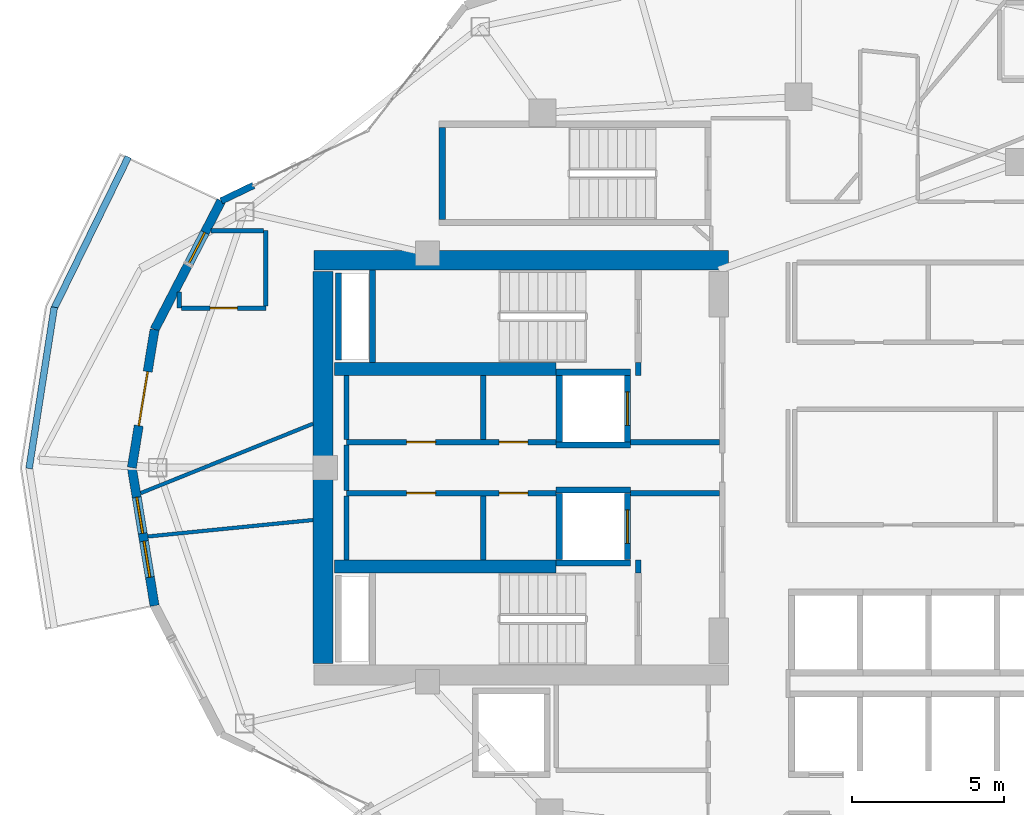
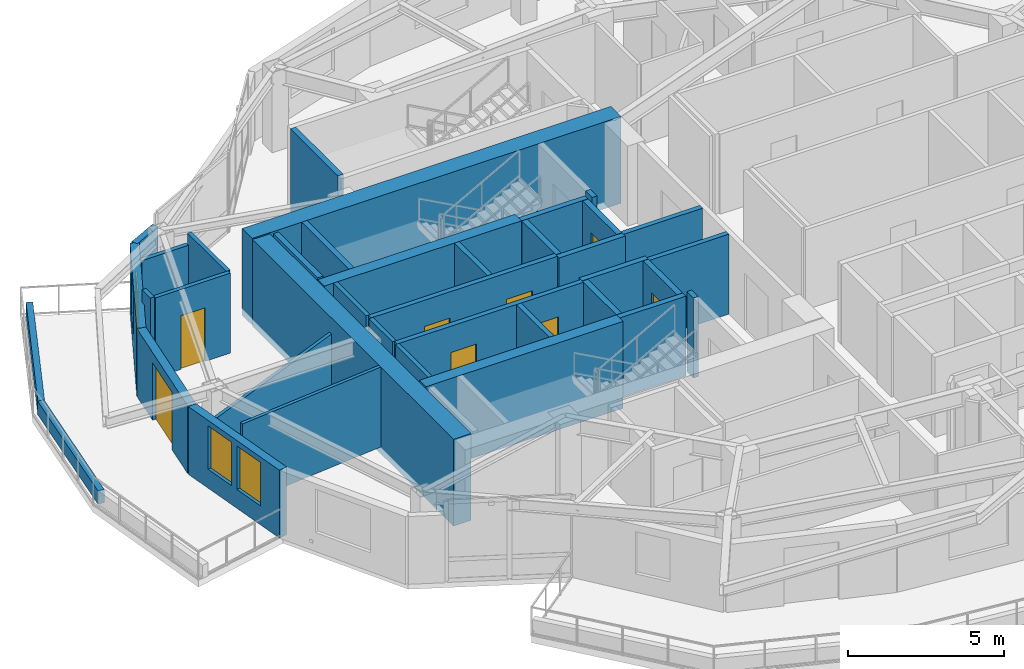
# One storey, part 8 of 16: 38 walls, 8 doors, 3 windows, 11 openings.
"""IFC4 building model written with IfcOpenShell, lengths in metres."""

from ifc_helpers import new_model, si_unit, direction, frame, frame_2d, origin, place, context, subcontext, project, spatial, rectangle, extrude, material, layer, layer_set, type_object, element, fill, save


model = new_model("IFC4")

# Units and contexts
model_context = context("Model", 3, precision=1e-05, world=origin(), true_north=direction((0.0, 1.0)))
body_context = subcontext(model_context, "Body", "Model", "MODEL_VIEW")
ifc_project = project(units=[si_unit("LENGTHUNIT", "METRE"), si_unit("AREAUNIT", "SQUARE_METRE"), si_unit("VOLUMEUNIT", "CUBIC_METRE"), si_unit("PLANEANGLEUNIT", "RADIAN"), si_unit("MASSUNIT", "GRAM", prefix="KILO")], contexts=[model_context])

# Site, building, storey
site_placement = place(None, origin())
site = spatial("IfcSite", under=ifc_project, at=site_placement, CompositionType="ELEMENT")
building_placement = place(site_placement, origin())
building = spatial("IfcBuilding", under=site, at=building_placement, Name="Kolvaren Gate Tower and Convention Centre", CompositionType="ELEMENT")
storey_placement = place(building_placement, frame((0.0, 0.0, 149.5)))
storey = spatial("IfcBuildingStorey", under=building, at=storey_placement, Name="L38", CompositionType="ELEMENT", Elevation=149.5)

# Walls
ifc_material_1 = material(Name="Autoclaved Aerated Masonry Blockwork Class 4 (4.0 MPa)", Category="masonry")
ifc_layer_1 = layer(ifc_material_1, 0.179931640625)
ifc_layer_set_1 = layer_set([ifc_layer_1], Name="Autoclaved Aerated Masonry Blockwork Class 4 (4.0 MPa)")
wall_type_1 = type_object("IfcWallType", Name="ARCH-WL-COMP-180", PredefinedType="SOLIDWALL", material=ifc_layer_set_1)
for number, where, z_axis, x_axis, name in (
    (1, (24.85009765625, 23.5400390625, 0.0), (0.0, 0.0, 1.0), (0.0, 1.0, 0.0), "Interior Partition WL-L38-INT-002"),
    (2, (24.85009765625, 30.0400390625, 0.0), (0.0, 0.0, 1.0), (0.0, 1.0, 0.0), "Interior Partition WL-L38-INT-003"),
):
    element("IfcWall", number, at=place(storey_placement, frame(where, z_axis=z_axis, x_axis=x_axis)), inside=storey, type_object=wall_type_1, Name=name, PredefinedType="SOLIDWALL", context=body_context, shape_type="SweptSolid", body=[
        extrude(rectangle(XDim=0.419921875, YDim=0.179931640625, at=frame_2d((0.2099609375, 0.0))), origin(), (0.0, 0.0, 1.0), 3.1298828125),
    ])

# Wall, openings, doors
wall_1_placement = place(storey_placement, frame((15.25, 27.840087890625, 0.0), z_axis=(0.0, 0.0, 1.0), x_axis=(1.0, 0.0, 0.0)))
wall_1 = element("IfcWall", 3, at=wall_1_placement, inside=storey, type_object=wall_type_1, Name="Interior Partition WL-L38-INT-005", PredefinedType="SOLIDWALL", context=body_context, shape_type="SweptSolid", body=[
    extrude(rectangle(XDim=6.89990234375, YDim=0.179931640625, at=frame_2d((3.449951171875, 0.0))), origin(), (0.0, 0.0, 1.0), 3.1298828125),
])
opening_1_placement = place(wall_1_placement, frame((5.02001953125, 0.0, 0.0)))
opening_1 = element("IfcOpeningElement", 4, at=opening_1_placement, cuts=wall_1, Name="Opening DR-01", PredefinedType="OPENING", context=body_context, shape_type="SweptSolid", body=[
    extrude(rectangle(XDim=0.949951171875, YDim=2.10009765625, at=frame_2d((0.47509765625, 1.050048828125))), frame((0.0, 0.099853515625, 0.0), z_axis=(0.0, -1.0, 0.0), x_axis=(1.0, 0.0, 0.0)), (0.0, 0.0, 1.0), 0.199951171875),
])
opening_2_placement = place(wall_1_placement, frame((1.97998046875, 0.0, 0.0)))
opening_2 = element("IfcOpeningElement", 5, at=opening_2_placement, cuts=wall_1, Name="Opening DR-01", PredefinedType="OPENING", context=body_context, shape_type="SweptSolid", body=[
    extrude(rectangle(XDim=0.949951171875, YDim=2.10009765625, at=frame_2d((0.47509765625, 1.050048828125))), frame((0.0, 0.099853515625, 0.0), z_axis=(0.0, -1.0, 0.0), x_axis=(1.0, 0.0, 0.0)), (0.0, 0.0, 1.0), 0.199951171875),
])
ifc_material_2 = material(Name="Painted Architectural Steelwork ASTM A500 Grade C 345 MPa", Category="steel")
door_type_1 = type_object("IfcDoorType", Name="ARCH-DR-RISER-950", OperationType="SINGLE_SWING_RIGHT", PredefinedType="DOOR", material=ifc_material_2)
door_1_placement = place(opening_1_placement, origin())
door_1 = element("IfcDoor", 6, at=door_1_placement, inside=storey, type_object=door_type_1, Name="Electrical Switchgear Closet Door", OperationType="SINGLE_SWING_RIGHT", OverallHeight=2.10009765625, OverallWidth=0.949951171875, PredefinedType="DOOR", context=body_context, shape_type="SweptSolid", body=[
    extrude(rectangle(XDim=0.949951171875, YDim=2.10009765625, at=frame_2d((0.47509765625, 1.050048828125))), frame((0.0, 0.02490234375, 0.0), z_axis=(0.0, -1.0, 0.0), x_axis=(1.0, 0.0, 0.0)), (0.0, 0.0, 1.0), 0.050048828125),
])
fill(opening_1, door_1)
door_2_placement = place(opening_2_placement, origin())
door_2 = element("IfcDoor", 7, at=door_2_placement, inside=storey, type_object=door_type_1, Name="Staff Powder Washroom Door", OperationType="SINGLE_SWING_RIGHT", OverallHeight=2.10009765625, OverallWidth=0.949951171875, PredefinedType="DOOR", context=body_context, shape_type="SweptSolid", body=[
    extrude(rectangle(XDim=0.949951171875, YDim=2.10009765625, at=frame_2d((0.47509765625, 1.050048828125))), frame((0.0, 0.02490234375, 0.0), z_axis=(0.0, -1.0, 0.0), x_axis=(1.0, 0.0, 0.0)), (0.0, 0.0, 1.0), 0.050048828125),
])
fill(opening_2, door_2)

# Wall
wall_2_placement = place(storey_placement, frame((24.60009765625, 27.840087890625, 0.0), z_axis=(0.0, 0.0, 1.0), x_axis=(1.0, 0.0, 0.0)))
element("IfcWall", 8, at=wall_2_placement, inside=storey, type_object=wall_type_1, Name="Interior Partition WL-L38-INT-005 (2)", PredefinedType="SOLIDWALL", context=body_context, shape_type="SweptSolid", body=[
    extrude(rectangle(XDim=2.927978515625, YDim=0.179931640625, at=frame_2d((1.4638671875, 0.0))), origin(), (0.0, 0.0, 1.0), 3.1298828125),
])

# Wall, openings, doors
wall_3_placement = place(storey_placement, frame((15.25, 26.159912109375, 0.0), z_axis=(0.0, 0.0, 1.0), x_axis=(1.0, 0.0, 0.0)))
wall_3 = element("IfcWall", 9, at=wall_3_placement, inside=storey, type_object=wall_type_1, Name="Interior Partition WL-L38-INT-006", PredefinedType="SOLIDWALL", context=body_context, shape_type="SweptSolid", body=[
    extrude(rectangle(XDim=6.89990234375, YDim=0.179931640625, at=frame_2d((3.449951171875, 0.0))), origin(), (0.0, 0.0, 1.0), 3.1298828125),
])
opening_3_placement = place(wall_3_placement, frame((5.02001953125, 0.0, 0.0)))
opening_3 = element("IfcOpeningElement", 10, at=opening_3_placement, cuts=wall_3, Name="Opening DR-01", PredefinedType="OPENING", context=body_context, shape_type="SweptSolid", body=[
    extrude(rectangle(XDim=0.949951171875, YDim=2.10009765625, at=frame_2d((0.47509765625, 1.050048828125))), frame((0.0, 0.099853515625, 0.0), z_axis=(0.0, -1.0, 0.0), x_axis=(1.0, 0.0, 0.0)), (0.0, 0.0, 1.0), 0.199951171875),
])
opening_4_placement = place(wall_3_placement, frame((1.97998046875, 0.0, 0.0)))
opening_4 = element("IfcOpeningElement", 11, at=opening_4_placement, cuts=wall_3, Name="Opening DR-01", PredefinedType="OPENING", context=body_context, shape_type="SweptSolid", body=[
    extrude(rectangle(XDim=0.949951171875, YDim=2.10009765625, at=frame_2d((0.47509765625, 1.050048828125))), frame((0.0, 0.099853515625, 0.0), z_axis=(0.0, -1.0, 0.0), x_axis=(1.0, 0.0, 0.0)), (0.0, 0.0, 1.0), 0.199951171875),
])
door_3_placement = place(opening_3_placement, origin())
door_3 = element("IfcDoor", 12, at=door_3_placement, inside=storey, type_object=door_type_1, Name="Domestic Water Meter Closet Door", OperationType="SINGLE_SWING_LEFT", OverallHeight=2.10009765625, OverallWidth=0.949951171875, PredefinedType="DOOR", context=body_context, shape_type="SweptSolid", body=[
    extrude(rectangle(XDim=0.949951171875, YDim=2.10009765625, at=frame_2d((0.47509765625, 1.050048828125))), frame((0.0, 0.02490234375, 0.0), z_axis=(0.0, -1.0, 0.0), x_axis=(1.0, 0.0, 0.0)), (0.0, 0.0, 1.0), 0.050048828125),
])
fill(opening_3, door_3)
door_4_placement = place(opening_4_placement, origin())
door_4 = element("IfcDoor", 13, at=door_4_placement, inside=storey, type_object=door_type_1, Name="Janitor Equipment Store Door", OperationType="SINGLE_SWING_LEFT", OverallHeight=2.10009765625, OverallWidth=0.949951171875, PredefinedType="DOOR", context=body_context, shape_type="SweptSolid", body=[
    extrude(rectangle(XDim=0.949951171875, YDim=2.10009765625, at=frame_2d((0.47509765625, 1.050048828125))), frame((0.0, 0.02490234375, 0.0), z_axis=(0.0, -1.0, 0.0), x_axis=(1.0, 0.0, 0.0)), (0.0, 0.0, 1.0), 0.050048828125),
])
fill(opening_4, door_4)

# Walls
wall_4_placement = place(storey_placement, frame((24.60009765625, 26.159912109375, 0.0), z_axis=(0.0, 0.0, 1.0), x_axis=(1.0, 0.0, 0.0)))
element("IfcWall", 14, at=wall_4_placement, inside=storey, type_object=wall_type_1, Name="Interior Partition WL-L38-INT-006 (2)", PredefinedType="SOLIDWALL", context=body_context, shape_type="SweptSolid", body=[
    extrude(rectangle(XDim=2.927978515625, YDim=0.179931640625, at=frame_2d((1.4638671875, 0.0))), origin(), (0.0, 0.0, 1.0), 3.1298828125),
])
for number, where, z_axis, x_axis, name in (
    (15, (19.75, 23.9619140625, 0.0), (0.0, 0.0, 1.0), (0.0, 1.0, 0.0), "Interior Partition WL-L38-INT-008"),
    (16, (19.75, 27.931884765625, 0.0), (0.0, 0.0, 1.0), (0.0, 1.0, 0.0), "Interior Partition WL-L38-INT-009"),
):
    element("IfcWall", number, at=place(storey_placement, frame(where, z_axis=z_axis, x_axis=x_axis)), inside=storey, type_object=wall_type_1, Name=name, PredefinedType="SOLIDWALL", context=body_context, shape_type="SweptSolid", body=[
        extrude(rectangle(XDim=2.106201171875, YDim=0.179931640625, at=frame_2d((1.05322265625, 0.0))), origin(), (0.0, 0.0, 1.0), 3.1298828125),
    ])
ifc_material_3 = material(Name="Fire-Rated Acoustic Gypsum Stud Partition", Category="gypsum")
ifc_layer_2 = layer(ifc_material_3, 0.1201171875)
ifc_layer_set_2 = layer_set([ifc_layer_2], Name="Fire-Rated Acoustic Gypsum Stud Partition")
wall_type_2 = type_object("IfcWallType", Name="ARCH-WL-PART-120", PredefinedType="PARTITIONING", material=ifc_layer_set_2)
wall_5_placement = place(storey_placement, frame((8.714111328125, 24.735107421875, 0.0), z_axis=(0.0, 0.0, 1.0), x_axis=(0.995066803819, 0.099207136527, 0.0)))
element("IfcWall", 17, at=wall_5_placement, inside=storey, type_object=wall_type_2, Name="Interior Partition WL-L38-INT-052", PredefinedType="PARTITIONING", context=body_context, shape_type="SweptSolid", body=[
    extrude(rectangle(XDim=5.460693359375, YDim=0.1201171875, at=frame_2d((2.73046875, 0.0))), origin(), (0.0, 0.0, 1.0), 3.1298828125),
])
wall_6_placement = place(storey_placement, frame((8.4794921875, 26.162109375, 0.0), z_axis=(0.0, 0.0, 1.0), x_axis=(0.927622844305, 0.373518217392, 0.0)))
element("IfcWall", 18, at=wall_6_placement, inside=storey, type_object=wall_type_2, Name="Interior Partition WL-L38-INT-066", PredefinedType="PARTITIONING", context=body_context, shape_type="SweptSolid", body=[
    extrude(rectangle(XDim=6.11083984375, YDim=0.1201171875, at=frame_2d((3.055419921875, 0.0))), origin(), (0.0, 0.0, 1.0), 2.5048828125),
])
ifc_material_4 = material(Name="Bogota Sabana Bush-Hammered Sandstone Cladding", Category="masonry")
ifc_layer_3 = layer(ifc_material_4, 0.219970703125)
ifc_layer_set_3 = layer_set([ifc_layer_3], Name="Bogota Sabana Bush-Hammered Sandstone Cladding")
wall_type_3 = type_object("IfcWallType", Name="ARCH-WL-PIER-220", PredefinedType="SOLIDWALL", material=ifc_layer_set_3)
wall_7_placement = place(storey_placement, frame((11.126708984375, 35.77490234375, 0.0), z_axis=(0.0, 0.0, 1.0), x_axis=(0.901264843027, 0.433268603437, 0.0)))
element("IfcWall", 19, at=wall_7_placement, inside=storey, type_object=wall_type_3, Name="Tower L38 Unitised Curtain Wall CW-HTL-UNIT Bay 09 Left Column Pier Wrap", PredefinedType="SOLIDWALL", context=body_context, shape_type="SweptSolid", body=[
    extrude(rectangle(XDim=1.18115234375, YDim=0.219970703125, at=frame_2d((0.590576171875, 0.0))), origin(), (0.0, 0.0, 1.0), 2.653076171875),
])
ifc_material_5 = material(Name="Piedmont Cream Honed Limestone Cladding", Category="masonry")
ifc_layer_4 = layer(ifc_material_5, 0.219970703125)
ifc_layer_set_4 = layer_set([ifc_layer_4], Name="Piedmont Cream Honed Limestone Cladding")
wall_type_4 = type_object("IfcWallType", Name="ARCH-WL-PLANTER-220", PredefinedType="PARAPET", material=ifc_layer_set_4)
wall_8_placement = place(storey_placement, frame((5.6220703125, 32.22119140625, 0.0), z_axis=(0.0, 0.0, 1.0), x_axis=(0.439637174641, 0.898175458735, 0.0)))
element("IfcWall", 20, at=wall_8_placement, inside=storey, type_object=wall_type_4, Name="Vertical-Forest Balcony Stone Planter Kerb PK-L38-2.1", PredefinedType="PARAPET", context=body_context, shape_type="SweptSolid", body=[
    extrude(rectangle(XDim=5.567138671875, YDim=0.219970703125, at=frame_2d((2.78369140625, 0.0))), origin(), (0.0, 0.0, 1.0), 0.52001953125),
])
wall_9_placement = place(storey_placement, frame((4.805908203125, 26.970703125, 0.0), z_axis=(0.0, 0.0, 1.0), x_axis=(0.154245214003, 0.988032597619, 0.0)))
element("IfcWall", 21, at=wall_9_placement, inside=storey, type_object=wall_type_4, Name="Vertical-Forest Balcony Stone Planter Kerb PK-L38-2.2", PredefinedType="PARAPET", context=body_context, shape_type="SweptSolid", body=[
    extrude(rectangle(XDim=5.37353515625, YDim=0.219970703125, at=frame_2d((2.686767578125, 0.0))), origin(), (0.0, 0.0, 1.0), 0.52001953125),
])
ifc_layer_5 = layer(ifc_material_1, 0.199951171875)
ifc_layer_set_5 = layer_set([ifc_layer_5], Name="Autoclaved Aerated Masonry Blockwork Class 4 (4.0 MPa)")
wall_type_5 = type_object("IfcWallType", Name="ARCH-WL-SHAFT-200", PredefinedType="SOLIDWALL", material=ifc_layer_set_5)
for number, where, z_axis, x_axis, name in (
    (22, (22.14990234375, 30.139892578125, 0.0), (0.0, 0.0, 1.0), (1.0, 0.0, 0.0), "Elevator FF-01 L38 Fire Shaft Wall N"),
    (23, (22.14990234375, 27.739990234375, 0.0), (0.0, 0.0, 1.0), (1.0, 0.0, 0.0), "Elevator FF-01 L38 Fire Shaft Wall S"),
):
    element("IfcWall", number, at=place(storey_placement, frame(where, z_axis=z_axis, x_axis=x_axis)), inside=storey, type_object=wall_type_5, Name=name, PredefinedType="SOLIDWALL", context=body_context, shape_type="SweptSolid", body=[
        extrude(rectangle(XDim=2.4501953125, YDim=0.199951171875, at=frame_2d((1.22509765625, 0.0))), origin(), (0.0, 0.0, 1.0), 3.1298828125),
    ])
wall_10_placement = place(storey_placement, frame((22.25, 27.85009765625, 0.0), z_axis=(0.0, 0.0, 1.0), x_axis=(0.0, 1.0, 0.0)))
element("IfcWall", 24, at=wall_10_placement, inside=storey, type_object=wall_type_5, Name="Elevator FF-01 L38 Fire Shaft Wall W", PredefinedType="SOLIDWALL", context=body_context, shape_type="SweptSolid", body=[
    extrude(rectangle(XDim=2.179931640625, YDim=0.199951171875, at=frame_2d((1.08984375, 0.0))), origin(), (0.0, 0.0, 1.0), 3.1298828125),
])

# Wall, opening, door
wall_11_placement = place(storey_placement, frame((24.5, 27.85009765625, 0.0), z_axis=(0.0, 0.0, 1.0), x_axis=(0.0, 1.0, 0.0)))
wall_11 = element("IfcWall", 25, at=wall_11_placement, inside=storey, type_object=wall_type_5, Name="Elevator FF-01 L38 Fire Shaft Wall E", PredefinedType="SOLIDWALL", context=body_context, shape_type="SweptSolid", body=[
    extrude(rectangle(XDim=2.179931640625, YDim=0.199951171875, at=frame_2d((1.08984375, 0.0))), origin(), (0.0, 0.0, 1.0), 3.1298828125),
])
opening_5_placement = place(wall_11_placement, frame((0.5400390625, 0.0, 0.0)))
opening_5 = element("IfcOpeningElement", 26, at=opening_5_placement, cuts=wall_11, Name="Opening LD", PredefinedType="OPENING", context=body_context, shape_type="SweptSolid", body=[
    extrude(rectangle(XDim=1.10009765625, YDim=2.199951171875, at=frame_2d((0.550048828125, 1.10009765625))), frame((0.0, 0.10986328125, 0.0), z_axis=(0.0, -1.0, 0.0), x_axis=(1.0, 0.0, 0.0)), (0.0, 0.0, 1.0), 0.219970703125),
])
ifc_material_6 = material(Name="Brushed Stainless Steel Grade 316L", Category="steel")
door_type_2 = type_object("IfcDoorType", Name="ARCH-DR-LIFT-1100", OperationType="SLIDING_TO_LEFT", PredefinedType="DOOR", material=ifc_material_6)
door_5_placement = place(opening_5_placement, origin())
door_5 = element("IfcDoor", 27, at=door_5_placement, inside=storey, type_object=door_type_2, Name="Elevator FF-01 L38 Sliding Landing Door", OperationType="SLIDING_TO_LEFT", OverallHeight=2.199951171875, OverallWidth=1.10009765625, PredefinedType="DOOR", context=body_context, shape_type="SweptSolid", body=[
    extrude(rectangle(XDim=1.10009765625, YDim=2.199951171875, at=frame_2d((0.550048828125, 1.10009765625))), frame((0.0, 0.02490234375, 0.0), z_axis=(0.0, -1.0, 0.0), x_axis=(1.0, 0.0, 0.0)), (0.0, 0.0, 1.0), 0.050048828125),
])
fill(opening_5, door_5)

# Walls
for number, where, z_axis, x_axis, name in (
    (28, (22.14990234375, 26.260009765625, 0.0), (0.0, 0.0, 1.0), (1.0, 0.0, 0.0), "Elevator FF-02 L38 Fire Shaft Wall N"),
    (29, (22.14990234375, 23.860107421875, 0.0), (0.0, 0.0, 1.0), (1.0, 0.0, 0.0), "Elevator FF-02 L38 Fire Shaft Wall S"),
):
    element("IfcWall", number, at=place(storey_placement, frame(where, z_axis=z_axis, x_axis=x_axis)), inside=storey, type_object=wall_type_5, Name=name, PredefinedType="SOLIDWALL", context=body_context, shape_type="SweptSolid", body=[
        extrude(rectangle(XDim=2.4501953125, YDim=0.199951171875, at=frame_2d((1.22509765625, 0.0))), origin(), (0.0, 0.0, 1.0), 3.1298828125),
    ])
wall_12_placement = place(storey_placement, frame((22.25, 23.969970703125, 0.0), z_axis=(0.0, 0.0, 1.0), x_axis=(0.0, 1.0, 0.0)))
element("IfcWall", 30, at=wall_12_placement, inside=storey, type_object=wall_type_5, Name="Elevator FF-02 L38 Fire Shaft Wall W", PredefinedType="SOLIDWALL", context=body_context, shape_type="SweptSolid", body=[
    extrude(rectangle(XDim=2.179931640625, YDim=0.199951171875, at=frame_2d((1.08984375, 0.0))), origin(), (0.0, 0.0, 1.0), 3.1298828125),
])

# Wall, opening, door
wall_13_placement = place(storey_placement, frame((24.5, 23.969970703125, 0.0), z_axis=(0.0, 0.0, 1.0), x_axis=(0.0, 1.0, 0.0)))
wall_13 = element("IfcWall", 31, at=wall_13_placement, inside=storey, type_object=wall_type_5, Name="Elevator FF-02 L38 Fire Shaft Wall E", PredefinedType="SOLIDWALL", context=body_context, shape_type="SweptSolid", body=[
    extrude(rectangle(XDim=2.179931640625, YDim=0.199951171875, at=frame_2d((1.08984375, 0.0))), origin(), (0.0, 0.0, 1.0), 3.1298828125),
])
opening_6_placement = place(wall_13_placement, frame((0.5400390625, 0.0, 0.0)))
opening_6 = element("IfcOpeningElement", 32, at=opening_6_placement, cuts=wall_13, Name="Opening LD", PredefinedType="OPENING", context=body_context, shape_type="SweptSolid", body=[
    extrude(rectangle(XDim=1.10009765625, YDim=2.199951171875, at=frame_2d((0.550048828125, 1.10009765625))), frame((0.0, 0.10986328125, 0.0), z_axis=(0.0, -1.0, 0.0), x_axis=(1.0, 0.0, 0.0)), (0.0, 0.0, 1.0), 0.219970703125),
])
door_6_placement = place(opening_6_placement, origin())
door_6 = element("IfcDoor", 33, at=door_6_placement, inside=storey, type_object=door_type_2, Name="Elevator FF-02 L38 Sliding Landing Door", OperationType="SLIDING_TO_LEFT", OverallHeight=2.199951171875, OverallWidth=1.10009765625, PredefinedType="DOOR", context=body_context, shape_type="SweptSolid", body=[
    extrude(rectangle(XDim=1.10009765625, YDim=2.199951171875, at=frame_2d((0.550048828125, 1.10009765625))), frame((0.0, 0.02490234375, 0.0), z_axis=(0.0, -1.0, 0.0), x_axis=(1.0, 0.0, 0.0)), (0.0, 0.0, 1.0), 0.050048828125),
])
fill(opening_6, door_6)

# Wall
wall_14_placement = place(storey_placement, frame((14.989990234375, 30.550048828125, 0.0), z_axis=(0.0, 0.0, 1.0), x_axis=(0.0, 1.0, 0.0)))
element("IfcWall", 34, at=wall_14_placement, inside=storey, type_object=wall_type_5, Name="Vertical Shaft HVR L38 EI-120 Enclosure Wall W", PredefinedType="SOLIDWALL", context=body_context, shape_type="SweptSolid", body=[
    extrude(rectangle(XDim=2.849853515625, YDim=0.199951171875, at=frame_2d((1.4248046875, 0.0))), origin(), (0.0, 0.0, 1.0), 3.1298828125),
])

# Wall, opening, window
ifc_layer_6 = layer(ifc_material_5, 0.300048828125)
ifc_layer_set_6 = layer_set([ifc_layer_6], Name="Piedmont Cream Honed Limestone Cladding")
wall_type_6 = type_object("IfcWallType", Name="ARCH-WL-STONE-300", PredefinedType="SOLIDWALL", material=ifc_layer_set_6)
wall_15_placement = place(storey_placement, frame((8.93505859375, 31.542236328125, 0.0), z_axis=(0.0, 0.0, 1.0), x_axis=(0.459810251451, 0.888017191647, 0.0)))
wall_15 = element("IfcWall", 35, at=wall_15_placement, inside=storey, type_object=wall_type_6, Name="Tower L38 Honed Stone Spandrel Wall EW-10", PredefinedType="SOLIDWALL", context=body_context, shape_type="SweptSolid", body=[
    extrude(rectangle(XDim=4.766357421875, YDim=0.300048828125, at=frame_2d((2.38330078125, 0.0))), origin(), (0.0, 0.0, 1.0), 2.653076171875),
])
opening_7_placement = place(wall_15_placement, frame((2.39990234375, 0.0, 0.719970703125)))
opening_7 = element("IfcOpeningElement", 36, at=opening_7_placement, cuts=wall_15, Name="Opening W-04", PredefinedType="OPENING", context=body_context, shape_type="SweptSolid", body=[
    extrude(rectangle(XDim=1.199951171875, YDim=1.64990234375, at=frame_2d((0.60009765625, 0.824951171875))), frame((0.0, 0.159912109375, 0.0), z_axis=(0.0, -1.0, 0.0), x_axis=(1.0, 0.0, 0.0)), (0.0, 0.0, 1.0), 0.320068359375),
])
ifc_material_7 = material(Name="Low-E Triple Insulated Glazing Unit 44 mm", Category="glass")
window_type = type_object("IfcWindowType", Name="ARCH-WN-NARROW-1200", PartitioningType="SINGLE_PANEL", PredefinedType="WINDOW", material=ifc_material_7)
window_1_placement = place(opening_7_placement, origin())
window_1 = element("IfcWindow", 37, at=window_1_placement, inside=storey, type_object=window_type, Name="Tower L38 Punched Stone Facade Window W-10", OverallHeight=1.64990234375, OverallWidth=1.199951171875, PartitioningType="SINGLE_PANEL", PredefinedType="WINDOW", context=body_context, shape_type="SweptSolid", body=[
    extrude(rectangle(XDim=1.199951171875, YDim=1.64990234375, at=frame_2d((0.60009765625, 0.824951171875))), frame((0.0, 0.030029296875, 0.0), z_axis=(0.0, -1.0, 0.0), x_axis=(1.0, 0.0, 0.0)), (0.0, 0.0, 1.0), 0.06005859375),
])
fill(opening_7, window_1)

# Wall, opening, door
wall_16_placement = place(storey_placement, frame((8.1875, 27.0, 0.0), z_axis=(0.0, 0.0, 1.0), x_axis=(0.162394765401, 0.986725868806, 0.0)))
wall_16 = element("IfcWall", 38, at=wall_16_placement, inside=storey, type_object=wall_type_6, Name="Tower L38 Honed Stone Spandrel Wall EW-11", PredefinedType="SOLIDWALL", context=body_context, shape_type="SweptSolid", body=[
    extrude(rectangle(XDim=4.603271484375, YDim=0.300048828125, at=frame_2d((2.3017578125, 0.0))), origin(), (0.0, 0.0, 1.0), 2.653076171875),
])
opening_8_placement = place(wall_16_placement, frame((1.402099609375, 0.0, 0.0)))
opening_8 = element("IfcOpeningElement", 39, at=opening_8_placement, cuts=wall_16, Name="Opening DB-01", PredefinedType="OPENING", context=body_context, shape_type="SweptSolid", body=[
    extrude(rectangle(XDim=1.800048828125, YDim=2.25, at=frame_2d((0.89990234375, 1.125))), frame((0.0, 0.159912109375, 0.0), z_axis=(0.0, -1.0, 0.0), x_axis=(1.0, 0.0, 0.0)), (0.0, 0.0, 1.0), 0.320068359375),
])
ifc_material_8 = material(Name="Anodized Architectural Aluminium Alloy 6063-T6", Category="aluminium")
door_type_3 = type_object("IfcDoorType", Name="ARCH-DR-BALC-1800", OperationType="SLIDING_TO_LEFT", PredefinedType="DOOR", material=ifc_material_8)
door_7_placement = place(opening_8_placement, origin())
door_7 = element("IfcDoor", 40, at=door_7_placement, inside=storey, type_object=door_type_3, Name="Planted Sky Terrace Access Door DB-L38-11", OperationType="SLIDING_TO_LEFT", OverallHeight=2.25, OverallWidth=1.800048828125, PredefinedType="DOOR", context=body_context, shape_type="SweptSolid", body=[
    extrude(rectangle(XDim=1.800048828125, YDim=2.25, at=frame_2d((0.89990234375, 1.125))), frame((0.0, 0.02490234375, 0.0), z_axis=(0.0, -1.0, 0.0), x_axis=(1.0, 0.0, 0.0)), (0.0, 0.0, 1.0), 0.050048828125),
])
fill(opening_8, door_7)

# Wall, openings, windows
wall_17_placement = place(storey_placement, frame((8.1875, 27.0, 0.0), z_axis=(0.0, 0.0, 1.0), x_axis=(0.162394765401, -0.986725868806, 0.0)))
wall_17 = element("IfcWall", 41, at=wall_17_placement, inside=storey, type_object=wall_type_6, Name="Tower L38 Honed Stone Spandrel Wall EW-12", PredefinedType="SOLIDWALL", context=body_context, shape_type="SweptSolid", body=[
    extrude(rectangle(XDim=4.603271484375, YDim=0.300048828125, at=frame_2d((2.3017578125, 0.0))), origin(), (0.0, 0.0, 1.0), 2.653076171875),
])
opening_9_placement = place(wall_17_placement, frame((0.990234375, 0.0, 0.739990234375)))
opening_9 = element("IfcOpeningElement", 42, at=opening_9_placement, cuts=wall_17, Name="Opening W-04", PredefinedType="OPENING", context=body_context, shape_type="SweptSolid", body=[
    extrude(rectangle(XDim=1.199951171875, YDim=1.699951171875, at=frame_2d((0.60009765625, 0.85009765625))), frame((0.0, 0.159912109375, 0.0), z_axis=(0.0, -1.0, 0.0), x_axis=(1.0, 0.0, 0.0)), (0.0, 0.0, 1.0), 0.320068359375),
])
opening_10_placement = place(wall_17_placement, frame((2.454345703125, 0.0, 0.739990234375)))
opening_10 = element("IfcOpeningElement", 43, at=opening_10_placement, cuts=wall_17, Name="Opening W-04", PredefinedType="OPENING", context=body_context, shape_type="SweptSolid", body=[
    extrude(rectangle(XDim=1.199951171875, YDim=1.699951171875, at=frame_2d((0.60009765625, 0.85009765625))), frame((0.0, 0.159912109375, 0.0), z_axis=(0.0, -1.0, 0.0), x_axis=(1.0, 0.0, 0.0)), (0.0, 0.0, 1.0), 0.320068359375),
])
window_2_placement = place(opening_9_placement, origin())
window_2 = element("IfcWindow", 44, at=window_2_placement, inside=storey, type_object=window_type, Name="Tower L38 Punched Stone Facade Window W-12", OverallHeight=1.699951171875, OverallWidth=1.199951171875, PartitioningType="SINGLE_PANEL", PredefinedType="WINDOW", context=body_context, shape_type="SweptSolid", body=[
    extrude(rectangle(XDim=1.199951171875, YDim=1.699951171875, at=frame_2d((0.60009765625, 0.85009765625))), frame((0.0, 0.030029296875, 0.0), z_axis=(0.0, -1.0, 0.0), x_axis=(1.0, 0.0, 0.0)), (0.0, 0.0, 1.0), 0.06005859375),
])
fill(opening_9, window_2)
window_3_placement = place(opening_10_placement, origin())
window_3 = element("IfcWindow", 45, at=window_3_placement, inside=storey, type_object=window_type, Name="Tower L38 Punched Stone Facade Window W-12B", OverallHeight=1.699951171875, OverallWidth=1.199951171875, PartitioningType="SINGLE_PANEL", PredefinedType="WINDOW", context=body_context, shape_type="SweptSolid", body=[
    extrude(rectangle(XDim=1.199951171875, YDim=1.699951171875, at=frame_2d((0.60009765625, 0.85009765625))), frame((0.0, 0.030029296875, 0.0), z_axis=(0.0, -1.0, 0.0), x_axis=(1.0, 0.0, 0.0)), (0.0, 0.0, 1.0), 0.06005859375),
])
fill(opening_10, window_3)

# Walls
ifc_material_9 = material(Name="Moisture-Resistant Cement-Board Acoustic Partition", Category="gypsum")
ifc_layer_7 = layer(ifc_material_9, 0.14990234375)
ifc_layer_set_7 = layer_set([ifc_layer_7], Name="Moisture-Resistant Cement-Board Acoustic Partition")
wall_type_7 = type_object("IfcWallType", Name="ARCH-WL-WET-150", PredefinedType="PARTITIONING", material=ifc_layer_set_7)
wall_18_placement = place(storey_placement, frame((15.25, 23.9619140625, 0.0), z_axis=(0.0, 0.0, 1.0), x_axis=(0.0, 1.0, 0.0)))
element("IfcWall", 46, at=wall_18_placement, inside=storey, type_object=wall_type_7, Name="Interior Partition WL-L38-INT-007", PredefinedType="PARTITIONING", context=body_context, shape_type="SweptSolid", body=[
    extrude(rectangle(XDim=2.106201171875, YDim=0.14990234375, at=frame_2d((1.05322265625, 0.0))), origin(), (0.0, 0.0, 1.0), 3.1298828125),
])
wall_19_placement = place(storey_placement, frame((15.25, 26.251953125, 0.0), z_axis=(0.0, 0.0, 1.0), x_axis=(0.0, 1.0, 0.0)))
element("IfcWall", 47, at=wall_19_placement, inside=storey, type_object=wall_type_7, Name="Interior Partition WL-L38-INT-007 (2)", PredefinedType="PARTITIONING", context=body_context, shape_type="SweptSolid", body=[
    extrude(rectangle(XDim=1.49609375, YDim=0.14990234375, at=frame_2d((0.748046875, 0.0))), origin(), (0.0, 0.0, 1.0), 3.1298828125),
])
wall_20_placement = place(storey_placement, frame((15.25, 27.931884765625, 0.0), z_axis=(0.0, 0.0, 1.0), x_axis=(0.0, 1.0, 0.0)))
element("IfcWall", 48, at=wall_20_placement, inside=storey, type_object=wall_type_7, Name="Interior Partition WL-L38-INT-007 (3)", PredefinedType="PARTITIONING", context=body_context, shape_type="SweptSolid", body=[
    extrude(rectangle(XDim=2.106201171875, YDim=0.14990234375, at=frame_2d((1.05322265625, 0.0))), origin(), (0.0, 0.0, 1.0), 3.1298828125),
])
wall_21_placement = place(storey_placement, frame((9.75, 32.25, 0.0), z_axis=(0.0, 0.0, 1.0), x_axis=(0.0, 1.0, 0.0)))
element("IfcWall", 49, at=wall_21_placement, inside=storey, type_object=wall_type_7, Name="Interior Partition WL-L38-INT-074", PredefinedType="PARTITIONING", context=body_context, shape_type="SweptSolid", body=[
    extrude(rectangle(XDim=0.535888671875, YDim=0.14990234375, at=frame_2d((0.26806640625, 0.0))), origin(), (0.0, 0.0, 1.0), 3.1298828125),
])

# Wall, opening, door
wall_22_placement = place(storey_placement, frame((9.826904296875, 32.25, 0.0), z_axis=(0.0, 0.0, 1.0), x_axis=(1.0, 0.0, 0.0)))
wall_22 = element("IfcWall", 50, at=wall_22_placement, inside=storey, type_object=wall_type_7, Name="Interior Partition WL-L38-INT-075", PredefinedType="PARTITIONING", context=body_context, shape_type="SweptSolid", body=[
    extrude(rectangle(XDim=2.773193359375, YDim=0.14990234375, at=frame_2d((1.38671875, 0.0))), origin(), (0.0, 0.0, 1.0), 3.1298828125),
])
opening_11_placement = place(wall_22_placement, frame((0.9365234375, 0.0, 0.0)))
opening_11 = element("IfcOpeningElement", 51, at=opening_11_placement, cuts=wall_22, Name="Opening DW-01", PredefinedType="OPENING", context=body_context, shape_type="SweptSolid", body=[
    extrude(rectangle(XDim=0.89990234375, YDim=2.10009765625, at=frame_2d((0.449951171875, 1.050048828125))), frame((0.0, 0.0849609375, 0.0), z_axis=(0.0, -1.0, 0.0), x_axis=(1.0, 0.0, 0.0)), (0.0, 0.0, 1.0), 0.169921875),
])
ifc_material_10 = material(Name="FSC Andean Oak Engineered Veneer Door Leaf", Category="wood")
door_type_4 = type_object("IfcDoorType", Name="ARCH-DR-WC-900", OperationType="SINGLE_SWING_RIGHT", PredefinedType="DOOR", material=ifc_material_10)
door_8_placement = place(opening_11_placement, origin())
door_8 = element("IfcDoor", 52, at=door_8_placement, inside=storey, type_object=door_type_4, Name="En-suite Bathroom (HTL-L38-10) Door", OperationType="SINGLE_SWING_RIGHT", OverallHeight=2.10009765625, OverallWidth=0.89990234375, PredefinedType="DOOR", context=body_context, shape_type="SweptSolid", body=[
    extrude(rectangle(XDim=0.89990234375, YDim=2.10009765625, at=frame_2d((0.449951171875, 1.050048828125))), frame((0.0, 0.02490234375, 0.0), z_axis=(0.0, -1.0, 0.0), x_axis=(1.0, 0.0, 0.0)), (0.0, 0.0, 1.0), 0.050048828125),
])
fill(opening_11, door_8)

# Walls
wall_23_placement = place(storey_placement, frame((12.60009765625, 32.326904296875, 0.0), z_axis=(0.0, 0.0, 1.0), x_axis=(0.0, 1.0, 0.0)))
element("IfcWall", 53, at=wall_23_placement, inside=storey, type_object=wall_type_7, Name="Interior Partition WL-L38-INT-076", PredefinedType="PARTITIONING", context=body_context, shape_type="SweptSolid", body=[
    extrude(rectangle(XDim=2.47314453125, YDim=0.14990234375, at=frame_2d((1.236572265625, 0.0))), origin(), (0.0, 0.0, 1.0), 3.1298828125),
])
wall_24_placement = place(storey_placement, frame((10.79296875, 34.800048828125, 0.0), z_axis=(0.0, 0.0, 1.0), x_axis=(1.0, 0.0, 0.0)))
element("IfcWall", 54, at=wall_24_placement, inside=storey, type_object=wall_type_7, Name="Interior Partition WL-L38-INT-077", PredefinedType="PARTITIONING", context=body_context, shape_type="SweptSolid", body=[
    extrude(rectangle(XDim=1.72998046875, YDim=0.14990234375, at=frame_2d((0.864990234375, 0.0))), origin(), (0.0, 0.0, 1.0), 2.702392578125),
])
ifc_material_11 = material(Name="Concrete C50/60", Category="concrete")
ifc_layer_8 = layer(ifc_material_11, 0.419921875)
ifc_layer_set_8 = layer_set([ifc_layer_8], Name="Concrete C50/60")
wall_type_8 = type_object("IfcWallType", Name="STR-WL-CONV-420", PredefinedType="SHEAR", material=ifc_layer_set_8)
for number, where, z_axis, x_axis, name in (
    (55, (14.85009765625, 30.25, -0.27001953125), (0.0, 0.0, 1.0), (1.0, 0.0, 0.0), "Tower L38 Offset Core Shear Wall WN"),
    (56, (14.85009765625, 23.75, -0.27001953125), (0.0, 0.0, 1.0), (1.0, 0.0, 0.0), "Tower L38 Offset Core Shear Wall WS"),
):
    element("IfcWall", number, at=place(storey_placement, frame(where, z_axis=z_axis, x_axis=x_axis)), inside=storey, type_object=wall_type_8, Name=name, PredefinedType="SHEAR", context=body_context, shape_type="SweptSolid", body=[
        extrude(rectangle(XDim=7.2998046875, YDim=0.419921875, at=frame_2d((3.64990234375, 0.0))), origin(), (0.0, 0.0, 1.0), 3.39990234375),
    ])
ifc_material_12 = material(Name="Concrete C60/75", Category="concrete")
ifc_layer_9 = layer(ifc_material_12, 0.64990234375)
ifc_layer_set_9 = layer_set([ifc_layer_9], Name="Concrete C60/75")
wall_type_9 = type_object("IfcWallType", Name="STR-WL-CORE-650", PredefinedType="SHEAR", material=ifc_layer_set_9)
wall_25_placement = place(storey_placement, frame((14.175048828125, 33.824951171875, -0.27001953125), z_axis=(0.0, 0.0, 1.0), x_axis=(1.0, 0.0, 0.0)))
element("IfcWall", 57, at=wall_25_placement, inside=storey, type_object=wall_type_9, Name="Tower L38 Offset Core Shear Wall N", PredefinedType="SHEAR", context=body_context, shape_type="SweptSolid", body=[
    extrude(rectangle(XDim=13.64990234375, YDim=0.64990234375, at=frame_2d((6.824951171875, 0.0))), origin(), (0.0, 0.0, 1.0), 3.39990234375),
])
wall_26_placement = place(storey_placement, frame((14.47509765625, 20.550048828125, -0.27001953125), z_axis=(0.0, 0.0, 1.0), x_axis=(0.0, 1.0, 0.0)))
element("IfcWall", 58, at=wall_26_placement, inside=storey, type_object=wall_type_9, Name="Tower L38 Offset Core Shear Wall W", PredefinedType="SHEAR", context=body_context, shape_type="SweptSolid", body=[
    extrude(rectangle(XDim=12.89990234375, YDim=0.64990234375, at=frame_2d((6.449951171875, 0.0))), origin(), (0.0, 0.0, 1.0), 3.39990234375),
])
ifc_layer_10 = layer(ifc_material_11, 0.199951171875)
ifc_layer_set_10 = layer_set([ifc_layer_10], Name="Concrete C50/60")
wall_type_10 = type_object("IfcWallType", Name="STR-WL-SHAFT-200", PredefinedType="SHEAR", material=ifc_layer_set_10)
wall_27_placement = place(storey_placement, frame((16.10009765625, 30.4619140625, -0.27001953125), z_axis=(0.0, 0.0, 1.0), x_axis=(0.0, 1.0, 0.0)))
element("IfcWall", 59, at=wall_27_placement, inside=storey, type_object=wall_type_10, Name="Tower North Exit Stair ST-T1 L38 Structural Shear Enclosure Wall FAR", PredefinedType="SHEAR", context=body_context, shape_type="SweptSolid", body=[
    extrude(rectangle(XDim=3.0361328125, YDim=0.199951171875, at=frame_2d((1.51806640625, 0.0))), origin(), (0.0, 0.0, 1.0), 3.39990234375),
])
wall_28_placement = place(storey_placement, frame((18.39990234375, 35.159912109375, -0.27001953125), z_axis=(0.0, 0.0, 1.0), x_axis=(0.0, 1.0, 0.0)))
element("IfcWall", 60, at=wall_28_placement, inside=storey, type_object=wall_type_10, Name="Tower Mid-Zone Exit Stair ST-T3 L38 Structural Shear Enclosure Wall FAR", PredefinedType="SHEAR", context=body_context, shape_type="SweptSolid", body=[
    extrude(rectangle(XDim=3.0400390625, YDim=0.199951171875, at=frame_2d((1.52001953125, 0.0))), origin(), (0.0, 0.0, 1.0), 3.39990234375),
])

save(model, "model.ifc")
